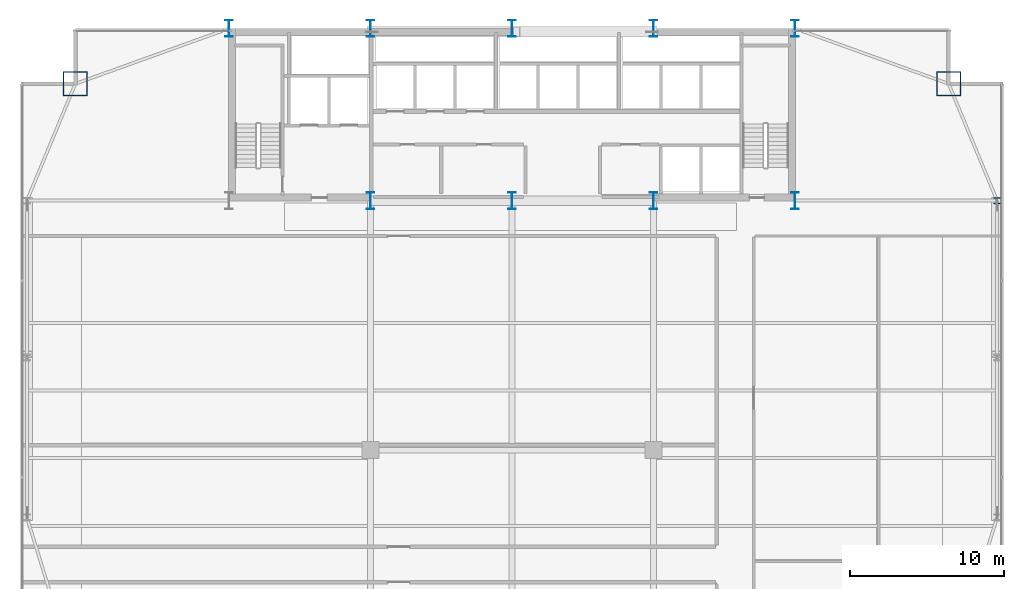
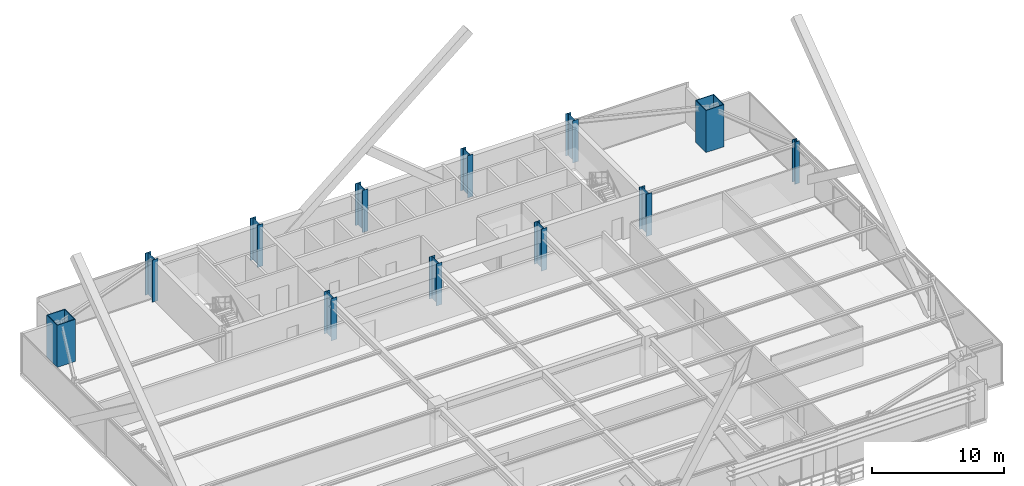
# One storey, part 2 of 32: 12 columns.
"""IFC4 building model written with IfcOpenShell, lengths in metres."""

from ifc_helpers import new_model, si_unit, direction, frame, origin, origin_2d, place, context, subcontext, project, spatial, hollow_rectangle, i_section, extrude, source, transform, mapped, material, material_profile, profile_set, type_object, type_shapes, element, save


model = new_model("IFC4")

# Units and contexts
model_context = context("Model", 3, precision=1e-05, world=origin(), true_north=direction((0.0, 1.0)))
body_context = subcontext(model_context, "Body", "Model", "MODEL_VIEW")
ifc_project = project(units=[si_unit("LENGTHUNIT", "METRE"), si_unit("AREAUNIT", "SQUARE_METRE"), si_unit("VOLUMEUNIT", "CUBIC_METRE"), si_unit("PLANEANGLEUNIT", "RADIAN"), si_unit("MASSUNIT", "GRAM", prefix="KILO")], contexts=[model_context])

# Site, building, storey
site_placement = place(None, origin())
site = spatial("IfcSite", under=ifc_project, at=site_placement, CompositionType="ELEMENT")
building_placement = place(site_placement, origin())
building = spatial("IfcBuilding", under=site, at=building_placement, Name="Varnel Quay Broadcast Tower", CompositionType="ELEMENT")
storey_placement = place(building_placement, frame((0.0, 0.0, 43.199951171875)))
storey = spatial("IfcBuildingStorey", under=building, at=storey_placement, Name="L09", CompositionType="ELEMENT", Elevation=43.199951171875)

# Columns
ifc_material_1 = material(Name="Structural Steel CSA G40.21 350WT", Category="steel")
ifc_material_profile_1 = material_profile(ifc_material_1, i_section(OverallWidth=0.5, OverallDepth=1.10009765625, WebThickness=0.01806640625, FlangeThickness=0.031982421875, FilletRadius=0.01806640625, at=origin_2d()), Name="WWF1100X418")
ifc_profile_set_1 = profile_set([ifc_material_profile_1], Name="Structural Steel CSA G40.21 350WT")
column_type_1 = type_object("IfcColumnType", Name="Col_WWF1100X418", PredefinedType="COLUMN", material=ifc_profile_set_1)
shared_shape_1 = source(origin(), body_context, "Body", "SweptSolid", [
    extrude(i_section(OverallWidth=0.5, OverallDepth=1.10009765625, WebThickness=0.01806640625, FlangeThickness=0.031982421875, FilletRadius=0.01806640625, at=origin_2d()), origin(), (0.0, 0.0, 1.0), 3.900146484375),
])
type_shapes(column_type_1, [shared_shape_1])
for number, where, z_axis, x_axis, name in (
    (1, (15.60009765625, 46.800048828125, 0.0), (0.0, 0.0, 1.0), (1.0, 0.0, 0.0), "L09 Column CC-N1"),
    (2, (24.800048828125, 35.60009765625, 0.0), (0.0, 0.0, 1.0), (1.0, 0.0, 0.0), "L09 Column CC-S2"),
    (3, (24.800048828125, 46.800048828125, 0.0), (0.0, 0.0, 1.0), (1.0, 0.0, 0.0), "L09 Column CC-N2"),
    (4, (34.0, 35.60009765625, 0.0), (0.0, 0.0, 1.0), (1.0, 0.0, 0.0), "L09 Column CC-S3"),
    (5, (34.0, 46.800048828125, 0.0), (0.0, 0.0, 1.0), (1.0, 0.0, 0.0), "L09 Column CC-N3"),
    (6, (43.199951171875, 35.60009765625, 0.0), (0.0, 0.0, 1.0), (1.0, 0.0, 0.0), "L09 Column CC-S4"),
    (7, (43.199951171875, 46.800048828125, 0.0), (0.0, 0.0, 1.0), (1.0, 0.0, 0.0), "L09 Column CC-N4"),
    (8, (52.39990234375, 35.60009765625, 0.0), (0.0, 0.0, 1.0), (1.0, 0.0, 0.0), "L09 Column CC-S5"),
    (9, (52.39990234375, 46.800048828125, 0.0), (0.0, 0.0, 1.0), (1.0, 0.0, 0.0), "L09 Column CC-N5"),
):
    element("IfcColumn", number, at=place(storey_placement, frame(where, z_axis=z_axis, x_axis=x_axis)), inside=storey, type_object=column_type_1, Name=name, PredefinedType="COLUMN", context=body_context, shape_type="MappedRepresentation", body=[
        mapped(shared_shape_1, transform((0.0, 0.0, 0.0), x_axis=(1.0, 0.0, 0.0), y_axis=(0.0, 1.0, 0.0), z_axis=(0.0, 0.0, 1.0), scale=1.0)),
    ])
ifc_material_profile_2 = material_profile(ifc_material_1, hollow_rectangle(XDim=1.60009765625, YDim=1.60009765625, WallThickness=0.06005859375, at=origin_2d()), Name="BOX1600X1600X60")
ifc_profile_set_2 = profile_set([ifc_material_profile_2], Name="Structural Steel CSA G40.21 350WT")
column_type_2 = type_object("IfcColumnType", Name="Col_BOX1600X1600X60", PredefinedType="COLUMN", material=ifc_profile_set_2)
shared_shape_2 = source(origin(), body_context, "Body", "SweptSolid", [
    extrude(hollow_rectangle(XDim=1.60009765625, YDim=1.60009765625, WallThickness=0.06005859375, at=origin_2d()), origin(), (0.0, 0.0, 1.0), 3.900146484375),
])
type_shapes(column_type_2, [shared_shape_2])
for number, where, z_axis, x_axis, name in (
    (10, (62.39990234375, 43.199951171875, 0.0), (0.0, 0.0, 1.0), (1.0, 0.0, 0.0), "L09 Column MC-NE"),
    (11, (5.60009765625, 43.199951171875, 0.0), (0.0, 0.0, 1.0), (1.0, 0.0, 0.0), "L09 Column MC-NW"),
):
    element("IfcColumn", number, at=place(storey_placement, frame(where, z_axis=z_axis, x_axis=x_axis)), inside=storey, type_object=column_type_2, Name=name, PredefinedType="COLUMN", context=body_context, shape_type="MappedRepresentation", body=[
        mapped(shared_shape_2, transform((0.0, 0.0, 0.0), x_axis=(1.0, 0.0, 0.0), y_axis=(0.0, 1.0, 0.0), z_axis=(0.0, 0.0, 1.0), scale=1.0)),
    ])
ifc_material_2 = material(Name="Structural Steel CSA G40.21 350W", Category="steel")
ifc_material_profile_3 = material_profile(ifc_material_2, i_section(OverallWidth=0.404052734375, OverallDepth=0.406982421875, WebThickness=0.027099609375, FlangeThickness=0.043701171875, FilletRadius=0.01806640625, at=origin_2d()), Name="W360X347")
ifc_profile_set_3 = profile_set([ifc_material_profile_3], Name="Structural Steel CSA G40.21 350W")
column_type_3 = type_object("IfcColumnType", Name="Col_W360X347", PredefinedType="COLUMN", material=ifc_profile_set_3)
shared_shape_3 = source(origin(), body_context, "Body", "SweptSolid", [
    extrude(i_section(OverallWidth=0.404052734375, OverallDepth=0.406982421875, WebThickness=0.027099609375, FlangeThickness=0.043701171875, FilletRadius=0.01806640625, at=origin_2d()), origin(), (0.0, 0.0, 1.0), 3.900146484375),
])
type_shapes(column_type_3, [shared_shape_3])
column_placement = place(storey_placement, frame((65.550048828125, 35.60009765625, 0.0), z_axis=(0.0, 0.0, 1.0), x_axis=(1.0, 0.0, 0.0)))
element("IfcColumn", 12, at=column_placement, inside=storey, type_object=column_type_3, Name="L09 Column TC-E3", PredefinedType="COLUMN", context=body_context, shape_type="MappedRepresentation", body=[
    mapped(shared_shape_3, transform((0.0, 0.0, 0.0), x_axis=(1.0, 0.0, 0.0), y_axis=(0.0, 1.0, 0.0), z_axis=(0.0, 0.0, 1.0), scale=1.0)),
])

save(model, "model.ifc")
